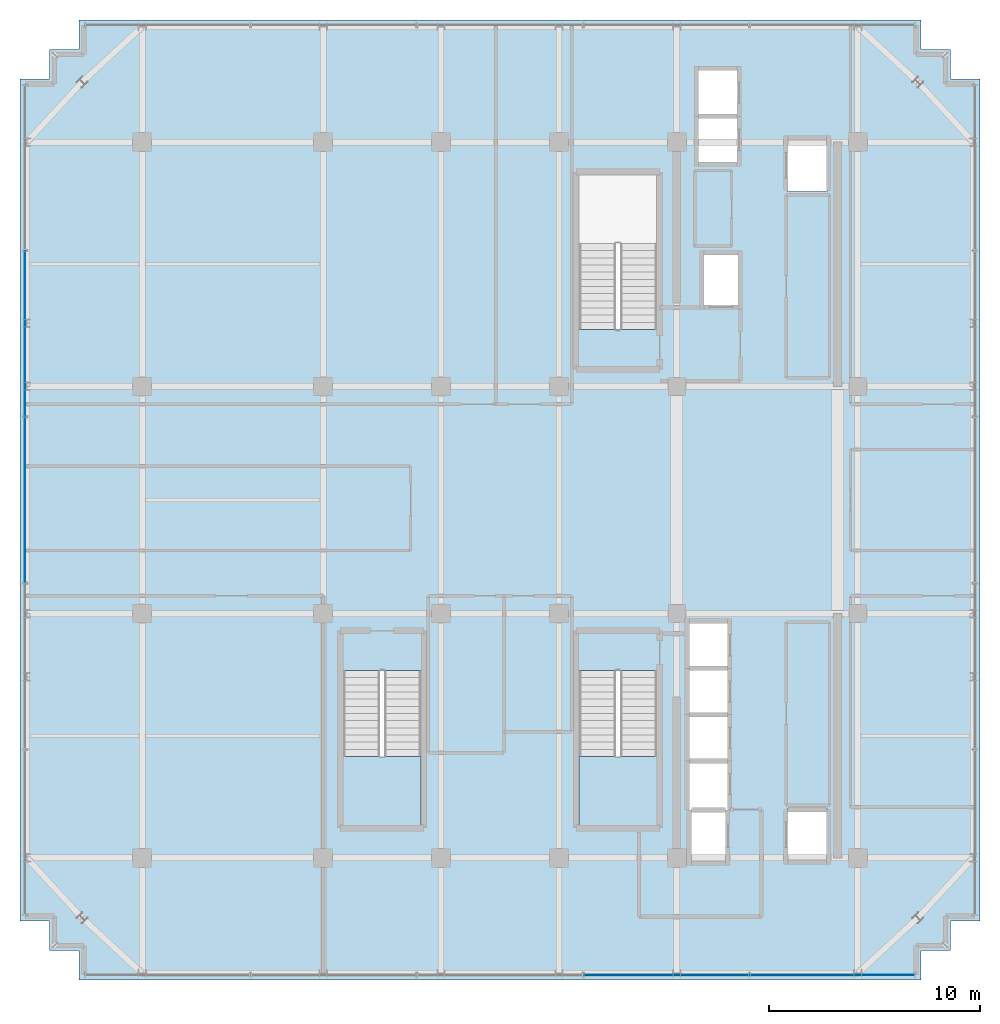
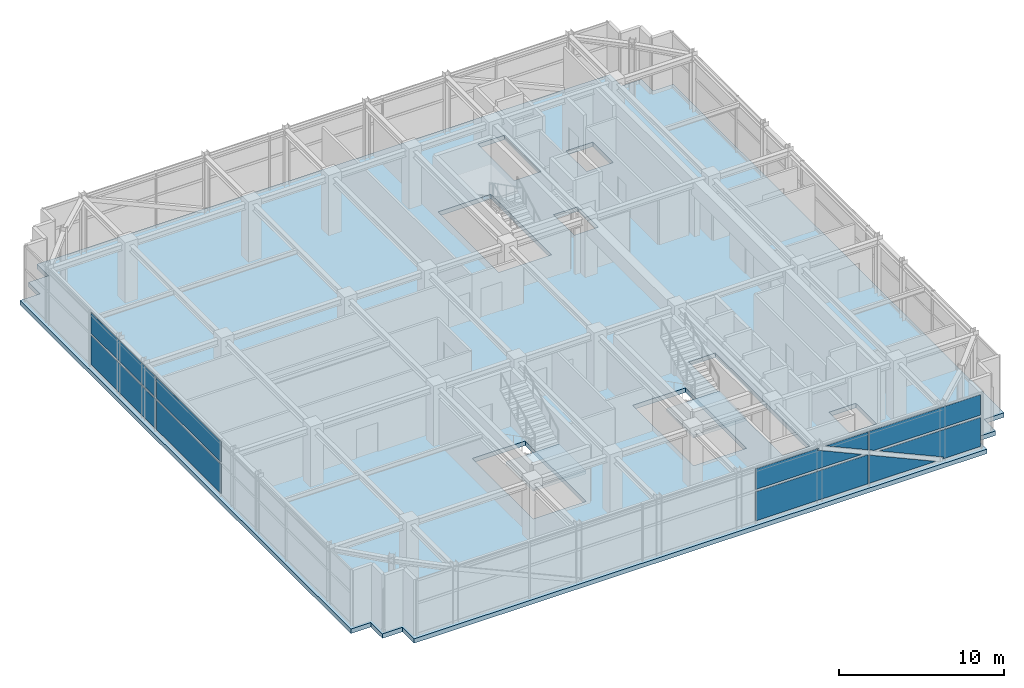
# One storey, part 17 of 26: 8 plates, 3 slabs, 4 elements without a shape of their own.
"""IFC4 building model written with IfcOpenShell, lengths in metres."""

from ifc_helpers import new_model, si_unit, direction, frame, origin, origin_2d, place, context, subcontext, project, spatial, polyline, rectangle, outline, extrude, source, transform, mapped, material, layer, layer_set, type_object, element, aggregate, save


model = new_model("IFC4")

# Units and contexts
model_context = context("Model", 3, precision=1e-05, world=origin(), true_north=direction((0.0, 1.0)))
body_context = subcontext(model_context, "Body", "Model", "MODEL_VIEW")
ifc_project = project(units=[si_unit("LENGTHUNIT", "METRE"), si_unit("AREAUNIT", "SQUARE_METRE"), si_unit("VOLUMEUNIT", "CUBIC_METRE"), si_unit("PLANEANGLEUNIT", "RADIAN"), si_unit("MASSUNIT", "GRAM", prefix="KILO")], contexts=[model_context])

# Site, building, storey
site_placement = place(None, origin())
site = spatial("IfcSite", under=ifc_project, at=site_placement, CompositionType="ELEMENT")
building_placement = place(site_placement, origin())
building = spatial("IfcBuilding", under=site, at=building_placement, Name="Nahalor Promenade Grand Hotel", CompositionType="ELEMENT")
storey_placement = place(building_placement, frame((0.0, 0.0, 343.050048828125)))
storey = spatial("IfcBuildingStorey", under=building, at=storey_placement, Name="L88", CompositionType="ELEMENT", Elevation=343.050048828125)

# Curtain wall, plates
ifc_material_1 = material(Name="Anodised Bronze Aluminium EN AW-6063 T6", Category="aluminium")
curtain_wall_type = type_object("IfcCurtainWallType", Name="CW5 Sky-Lobby & Observation Panoramic Curtain Wall", PredefinedType="USERDEFINED", material=ifc_material_1)
curtain_wall_1_placement = place(storey_placement, origin())
curtain_wall_1 = element("IfcCurtainWall", 1, at=curtain_wall_1_placement, inside=storey, type_object=curtain_wall_type, Name="L88 Curtain Wall CW-L88-S-1", ObjectType="UNITISED_CURTAIN_WALL", PredefinedType="USERDEFINED")
ifc_material_2 = material(Name="Low-E Laminated Solar Glass", Category="glass")
ifc_layer_1 = layer(ifc_material_2, 0.035888671875)
ifc_layer_set_1 = layer_set([ifc_layer_1], Name="Low-E Laminated Solar Glass")
plate_type = type_object("IfcPlateType", Name="CWP5 Observation Acoustic Triple IGU 36mm", PredefinedType="CURTAIN_PANEL", material=ifc_layer_set_1)
plate_1_placement = place(storey_placement, frame((7.904052734375, -22.56005859375, 0.169921875), z_axis=(0.0, 0.0, 1.0), x_axis=(1.0, 0.0, 0.0)))
plate_1 = element("IfcPlate", 2, at=plate_1_placement, type_object=plate_type, Name="CW-L88-S-1 Glazing Panel 3-0", PredefinedType="CURTAIN_PANEL", context=body_context, shape_type="SweptSolid", body=[
    extrude(outline(polyline([(-3.909423828125, 0.0), (3.909423828125, 0.0), (3.909423828125, 2.1220703125), (3.8583984375, 2.14501953125), (-3.909423828125, 2.14501953125), (-3.909423828125, 0.0)])), frame((0.0, 0.01806640625, 0.0), z_axis=(0.0, -1.0, 0.0), x_axis=(1.0, 0.0, 0.0)), (0.0, 0.0, 1.0), 0.035888671875),
])
plate_2_placement = place(storey_placement, frame((7.904052734375, -22.56005859375, 2.48486328125), z_axis=(0.0, 0.0, 1.0), x_axis=(1.0, 0.0, 0.0)))
plate_2 = element("IfcPlate", 3, at=plate_2_placement, type_object=plate_type, Name="CW-L88-S-1 Glazing Panel 3-1", PredefinedType="CURTAIN_PANEL", context=body_context, shape_type="SweptSolid", body=[
    extrude(outline(polyline([(-3.909423828125, 1.514892578125), (-3.909423828125, 0.0), (3.480712890625, 0.0), (0.4013671875, 1.3857421875), (0.45947265625, 1.514892578125), (-3.909423828125, 1.514892578125)])), frame((0.0, 0.01806640625, 0.0), z_axis=(0.0, -1.0, 0.0), x_axis=(1.0, 0.0, 0.0)), (0.0, 0.0, 1.0), 0.035888671875),
    extrude(outline(polyline([(3.909423828125, 0.19091796875), (3.909423828125, 1.514892578125), (0.966796875, 1.514892578125), (3.909423828125, 0.19091796875)])), frame((0.0, 0.01806640625, 0.0), z_axis=(0.0, -1.0, 0.0), x_axis=(1.0, 0.0, 0.0)), (0.0, 0.0, 1.0), 0.035888671875),
])
plate_3_placement = place(storey_placement, frame((15.786865234375, -22.56005859375, 0.169921875), z_axis=(0.0, 0.0, 1.0), x_axis=(1.0, 0.0, 0.0)))
plate_3 = element("IfcPlate", 4, at=plate_3_placement, type_object=plate_type, Name="CW-L88-S-1 Glazing Panel 4-0", PredefinedType="CURTAIN_PANEL", context=body_context, shape_type="SweptSolid", body=[
    extrude(outline(polyline([(-3.88818359375, 2.083740234375), (-3.88818359375, 0.0), (0.742431640625, 0.0), (-3.88818359375, 2.083740234375)])), frame((0.0, 0.01806640625, 0.0), z_axis=(0.0, -1.0, 0.0), x_axis=(1.0, 0.0, 0.0)), (0.0, 0.0, 1.0), 0.035888671875),
    extrude(outline(polyline([(3.88818359375, 0.0), (3.88818359375, 2.14501953125), (-3.17138671875, 2.14501953125), (1.307861328125, 0.12939453125), (1.249755859375, 0.0), (3.88818359375, 0.0)])), frame((0.0, 0.01806640625, 0.0), z_axis=(0.0, -1.0, 0.0), x_axis=(1.0, 0.0, 0.0)), (0.0, 0.0, 1.0), 0.035888671875),
])
plate_4_placement = place(storey_placement, frame((15.786865234375, -22.56005859375, 2.48486328125), z_axis=(0.0, 0.0, 1.0), x_axis=(1.0, 0.0, 0.0)))
plate_4 = element("IfcPlate", 5, at=plate_4_placement, type_object=plate_type, Name="CW-L88-S-1 Glazing Panel 4-1", PredefinedType="CURTAIN_PANEL", context=body_context, shape_type="SweptSolid", body=[
    extrude(outline(polyline([(3.88818359375, 1.514892578125), (-3.88818359375, 1.514892578125), (-3.88818359375, 0.152587890625), (-3.549072265625, 0.0), (3.88818359375, 0.0), (3.88818359375, 1.514892578125)])), frame((0.0, 0.01806640625, 0.0), z_axis=(0.0, -1.0, 0.0), x_axis=(1.0, 0.0, 0.0)), (0.0, 0.0, 1.0), 0.035888671875),
])
aggregate(curtain_wall_1, [plate_1, plate_2, plate_3, plate_4])

# Stair, slab
ifc_material_3 = material(Name="Concrete B-50 (C40/50)", Category="concrete")
stair_type_1 = type_object("IfcStairType", Name="Stair-ST2", PredefinedType="HALF_TURN_STAIR", material=ifc_material_3)
stair_1_placement = place(storey_placement, origin())
stair_1 = element("IfcStair", 6, at=stair_1_placement, inside=storey, type_object=stair_type_1, Name="L88 ST2", PredefinedType="HALF_TURN_STAIR")
ifc_layer_2 = layer(ifc_material_3, 0.2099609375)
ifc_layer_set_2 = layer_set([ifc_layer_2], Name="Concrete B-50 (C40/50)")
slab_type_1 = type_object("IfcSlabType", Name="Landing-ST2", PredefinedType="LANDING", material=ifc_layer_set_2)
slab_1_placement = place(storey_placement, frame((0.0, 0.0, 2.0400390625)))
slab_1 = element("IfcSlab", 7, at=slab_1_placement, type_object=slab_type_1, Name="ST2 landing 1", PredefinedType="LANDING", context=body_context, shape_type="SweptSolid", body=[
    extrude(outline(polyline([(3.75, -12.179931640625), (3.75, -15.449951171875), (7.449951171875, -15.449951171875), (7.449951171875, -12.179931640625), (3.75, -12.179931640625)])), origin(), (0.0, 0.0, 1.0), 0.2099609375),
])
aggregate(stair_1, [slab_1])

stair_type_2 = type_object("IfcStairType", Name="Stair-ST3", PredefinedType="HALF_TURN_STAIR", material=ifc_material_3)
stair_2_placement = place(storey_placement, origin())
stair_2 = element("IfcStair", 8, at=stair_2_placement, inside=storey, type_object=stair_type_2, Name="L88 ST3", PredefinedType="HALF_TURN_STAIR")
ifc_layer_3 = layer(ifc_material_3, 0.219970703125)
ifc_layer_set_3 = layer_set([ifc_layer_3], Name="Concrete B-50 (C40/50)")
slab_type_2 = type_object("IfcSlabType", Name="Landing-ST3", PredefinedType="LANDING", material=ifc_layer_set_3)
slab_2_placement = place(storey_placement, frame((0.0, 0.0, 2.030029296875)))
slab_2 = element("IfcSlab", 9, at=slab_2_placement, type_object=slab_type_2, Name="ST3 landing 1", PredefinedType="LANDING", context=body_context, shape_type="SweptSolid", body=[
    extrude(outline(polyline([(-7.449951171875, -12.179931640625), (-7.449951171875, -15.449951171875), (-3.75, -15.449951171875), (-3.75, -12.179931640625), (-7.449951171875, -12.179931640625)])), origin(), (0.0, 0.0, 1.0), 0.219970703125),
])
aggregate(stair_2, [slab_2])

# Slab
ifc_layer_4 = layer(ifc_material_3, 0.330078125)
ifc_layer_set_4 = layer_set([ifc_layer_4], Name="Concrete B-50 (C40/50)")
slab_type_3 = type_object("IfcSlabType", Name="Slab-Observation-330", PredefinedType="FLOOR", material=ifc_layer_set_4)
slab_3_placement = place(storey_placement, frame((0.0, 0.0, -0.330078125)))
element("IfcSlab", 10, at=slab_3_placement, inside=storey, type_object=slab_type_3, Name="L88 Suspended Structural Floor Slab", PredefinedType="FLOOR", context=body_context, shape_type="SweptSolid", body=[
    extrude(outline(polyline([(-20.0, -22.800048828125), (20.0, -22.800048828125), (20.0, -21.39990234375), (21.39990234375, -21.39990234375), (21.39990234375, -20.0), (22.800048828125, -20.0), (22.800048828125, 20.0), (21.39990234375, 20.0), (21.39990234375, 21.39990234375), (20.0, 21.39990234375), (20.0, 22.800048828125), (-20.0, 22.800048828125), (-20.0, 21.39990234375), (-21.39990234375, 21.39990234375), (-21.39990234375, 20.0), (-22.800048828125, 20.0), (-22.800048828125, -20.0), (-21.39990234375, -20.0), (-21.39990234375, -21.39990234375), (-20.0, -21.39990234375), (-20.0, -22.800048828125)]), holes=[polyline([(3.75, 8.10009765625), (7.449951171875, 8.10009765625), (7.449951171875, 15.449951171875), (3.75, 15.449951171875), (3.75, 8.10009765625)]), polyline([(3.75, -15.449951171875), (7.449951171875, -15.449951171875), (7.449951171875, -8.10009765625), (3.75, -8.10009765625), (3.75, -15.449951171875)]), polyline([(-7.449951171875, -15.449951171875), (-3.75, -15.449951171875), (-3.75, -8.10009765625), (-7.449951171875, -8.10009765625), (-7.449951171875, -15.449951171875)]), polyline([(8.9599609375, -17.18994140625), (10.840087890625, -17.18994140625), (10.840087890625, -5.81005859375), (8.9599609375, -5.81005859375), (8.9599609375, -17.18994140625)]), polyline([(9.409912109375, 16.010009765625), (11.2900390625, 16.010009765625), (11.2900390625, 20.43994140625), (9.409912109375, 20.43994140625), (9.409912109375, 16.010009765625)]), polyline([(9.659912109375, 9.2099609375), (11.340087890625, 9.2099609375), (11.340087890625, 11.68994140625), (9.659912109375, 11.68994140625), (9.659912109375, 9.2099609375)]), polyline([(13.659912109375, 14.659912109375), (15.5400390625, 14.659912109375), (15.5400390625, 17.139892578125), (13.659912109375, 17.139892578125), (13.659912109375, 14.659912109375)]), polyline([(13.659912109375, -17.139892578125), (15.5400390625, -17.139892578125), (15.5400390625, -14.659912109375), (13.659912109375, -14.659912109375), (13.659912109375, -17.139892578125)])]), origin(), (0.0, 0.0, 1.0), 0.330078125),
])

# Curtain wall, plates
curtain_wall_2_placement = place(storey_placement, origin())
curtain_wall_2 = element("IfcCurtainWall", 11, at=curtain_wall_2_placement, inside=storey, type_object=curtain_wall_type, Name="L88 Curtain Wall CW-L88-W-1", ObjectType="UNITISED_CURTAIN_WALL", PredefinedType="USERDEFINED")
shared_shape_1 = source(origin(), body_context, "Body", "SweptSolid", [
    extrude(rectangle(XDim=7.819091796875, YDim=0.035888671875, at=origin_2d()), origin(), (0.0, 0.0, 1.0), 2.14501953125),
])
plate_5_placement = place(storey_placement, frame((-22.56005859375, 0.0, 0.169921875), z_axis=(0.0, 0.0, 1.0), x_axis=(0.0, 1.0, 0.0)))
plate_5 = element("IfcPlate", 12, at=plate_5_placement, type_object=plate_type, Name="CW-L88-W-1 Glazing Panel 2-0", PredefinedType="CURTAIN_PANEL", context=body_context, shape_type="MappedRepresentation", body=[
    mapped(shared_shape_1, transform((0.0, 0.0, 0.0), scale=1.0)),
])
plate_6_placement = place(storey_placement, frame((-22.56005859375, 7.904052734375, 0.169921875), z_axis=(0.0, 0.0, 1.0), x_axis=(0.0, 1.0, 0.0)))
plate_6 = element("IfcPlate", 13, at=plate_6_placement, type_object=plate_type, Name="CW-L88-W-1 Glazing Panel 3-0", PredefinedType="CURTAIN_PANEL", context=body_context, shape_type="MappedRepresentation", body=[
    mapped(shared_shape_1, transform((0.0, 0.0, 0.0), scale=1.0)),
])
shared_shape_2 = source(origin(), body_context, "Body", "SweptSolid", [
    extrude(rectangle(XDim=7.819091796875, YDim=0.035888671875, at=origin_2d()), origin(), (0.0, 0.0, 1.0), 1.514892578125),
])
plate_7_placement = place(storey_placement, frame((-22.56005859375, 0.0, 2.48486328125), z_axis=(0.0, 0.0, 1.0), x_axis=(0.0, 1.0, 0.0)))
plate_7 = element("IfcPlate", 14, at=plate_7_placement, type_object=plate_type, Name="CW-L88-W-1 Glazing Panel 2-1", PredefinedType="CURTAIN_PANEL", context=body_context, shape_type="MappedRepresentation", body=[
    mapped(shared_shape_2, transform((0.0, 0.0, 0.0), scale=1.0)),
])
plate_8_placement = place(storey_placement, frame((-22.56005859375, 7.904052734375, 2.48486328125), z_axis=(0.0, 0.0, 1.0), x_axis=(0.0, 1.0, 0.0)))
plate_8 = element("IfcPlate", 15, at=plate_8_placement, type_object=plate_type, Name="CW-L88-W-1 Glazing Panel 3-1", PredefinedType="CURTAIN_PANEL", context=body_context, shape_type="MappedRepresentation", body=[
    mapped(shared_shape_2, transform((0.0, 0.0, 0.0), scale=1.0)),
])
aggregate(curtain_wall_2, [plate_5, plate_7, plate_6, plate_8])

save(model, "model.ifc")
